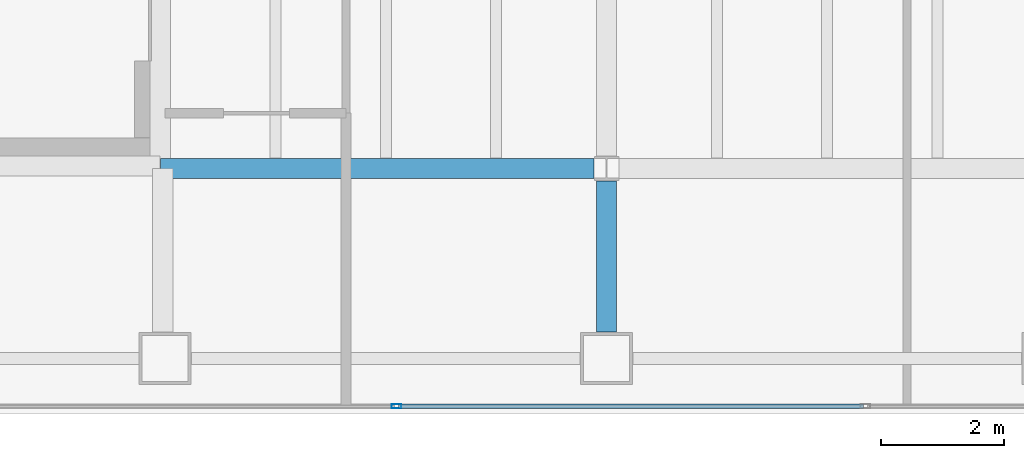
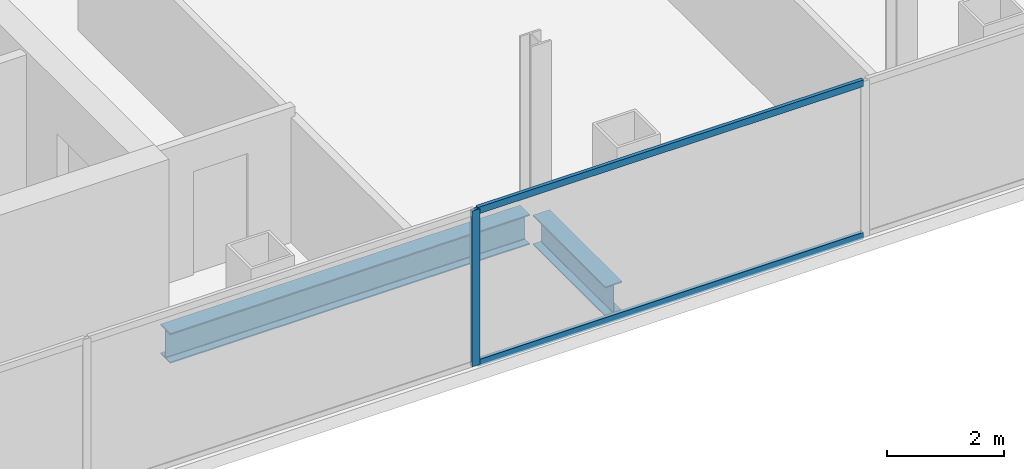
# One storey, part 4 of 23: 3 members, 2 beams, 1 element without a shape of its own.
"""IFC4 building model written with IfcOpenShell, lengths in metres."""

from ifc_helpers import new_model, si_unit, direction, frame, origin, origin_2d, place, context, subcontext, project, spatial, hollow_rectangle, i_section, extrude, material, material_profile, profile_set, type_object, element, aggregate, save


model = new_model("IFC4")

# Units and contexts
model_context = context("Model", 3, precision=1e-05, world=origin(), true_north=direction((0.0, 1.0)))
body_context = subcontext(model_context, "Body", "Model", "MODEL_VIEW")
ifc_project = project(units=[si_unit("LENGTHUNIT", "METRE"), si_unit("AREAUNIT", "SQUARE_METRE"), si_unit("VOLUMEUNIT", "CUBIC_METRE"), si_unit("PLANEANGLEUNIT", "RADIAN"), si_unit("MASSUNIT", "GRAM", prefix="KILO")], contexts=[model_context])

# Site, building, storey
site_placement = place(None, origin())
site = spatial("IfcSite", under=ifc_project, at=site_placement, CompositionType="ELEMENT")
building_placement = place(site_placement, origin())
building = spatial("IfcBuilding", under=site, at=building_placement, Name="Cobrela Telecom Tower", CompositionType="ELEMENT")
storey_placement = place(building_placement, frame((0.0, 0.0, 180.25)))
storey = spatial("IfcBuildingStorey", under=building, at=storey_placement, Name="L45", CompositionType="ELEMENT", Elevation=180.25)

# Beams
ifc_material_1 = material(Name="Steel ASTM A992 Grade 50", Category="steel")
ifc_material_profile_1 = material_profile(ifc_material_1, i_section(OverallWidth=0.327880859375, OverallDepth=0.6220703125, WebThickness=0.015380859375, FlangeThickness=0.0244140625, FilletRadius=0.014892578125, at=origin_2d()), Name="W24X131")
ifc_profile_set_1 = profile_set([ifc_material_profile_1], Name="Steel ASTM A992 Grade 50")
beam_type = type_object("IfcBeamType", Name="BM-GIRD-06", PredefinedType="USERDEFINED", material=ifc_profile_set_1)
beam_1_placement = place(storey_placement, frame((14.324951171875, 7.199951171875, -0.571044921875), z_axis=(1.0, 0.0, 0.0), x_axis=(0.0, 1.0, 0.0)))
element("IfcBeam", 1, at=beam_1_placement, inside=storey, type_object=beam_type, Name="L45 Primary Girder X07", ObjectType="GIRDER", PredefinedType="USERDEFINED", context=body_context, shape_type="SweptSolid", body=[
    extrude(i_section(OverallWidth=0.327880859375, OverallDepth=0.6220703125, WebThickness=0.015380859375, FlangeThickness=0.0244140625, FilletRadius=0.014892578125, at=origin_2d()), origin(), (0.0, 0.0, 1.0), 7.070556640625),
])
beam_2_placement = place(storey_placement, frame((21.60009765625, 4.530029296875, -0.571044921875), z_axis=(0.0, 1.0, 0.0), x_axis=(-1.0, 0.0, 0.0)))
element("IfcBeam", 2, at=beam_2_placement, inside=storey, type_object=beam_type, Name="L45 Primary Girder Y32", ObjectType="GIRDER", PredefinedType="USERDEFINED", context=body_context, shape_type="SweptSolid", body=[
    extrude(i_section(OverallWidth=0.327880859375, OverallDepth=0.6220703125, WebThickness=0.015380859375, FlangeThickness=0.0244140625, FilletRadius=0.014892578125, at=origin_2d()), origin(), (0.0, 0.0, 1.0), 2.465576171875),
])

# Curtain wall, members
ifc_material_2 = material(Name="Anodized Bronze Aluminium 6063-T6", Category="aluminium")
curtain_wall_type = type_object("IfcCurtainWallType", Name="CW-SYS-OFF-LO", PredefinedType="USERDEFINED", material=ifc_material_2)
curtain_wall_placement = place(storey_placement, origin())
curtain_wall = element("IfcCurtainWall", 3, at=curtain_wall_placement, inside=storey, type_object=curtain_wall_type, Name="L45 Unitised Bronze Curtain Wall 17", ObjectType="UNITISED CURTAIN WALL", PredefinedType="USERDEFINED")
ifc_material_profile_2 = material_profile(ifc_material_2, hollow_rectangle(XDim=0.070068359375, YDim=0.159912109375, WallThickness=0.00390625, at=origin_2d()), Name="ALU 70x160x4")
ifc_profile_set_2 = profile_set([ifc_material_profile_2], Name="Anodized Bronze Aluminium 6063-T6")
member_type_1 = type_object("IfcMemberType", Name="CW-SYS-OFF-LO-MUL", PredefinedType="MULLION", material=ifc_profile_set_2)
member_1_placement = place(storey_placement, frame((18.174072265625, 3.320068359375, 0.0), z_axis=(0.0, 0.0, 1.0), x_axis=(0.0, -1.0, 0.0)))
member_1 = element("IfcMember", 4, at=member_1_placement, type_object=member_type_1, Name="CW-OFF-LO mullion 4", PredefinedType="MULLION", context=body_context, shape_type="SweptSolid", body=[
    extrude(hollow_rectangle(XDim=0.070068359375, YDim=0.159912109375, WallThickness=0.00390625, at=origin_2d()), origin(), (0.0, 0.0, 1.0), 3.239990234375),
])
ifc_material_profile_3 = material_profile(ifc_material_2, hollow_rectangle(XDim=0.070068359375, YDim=0.139892578125, WallThickness=0.00390625, at=origin_2d()), Name="ALU 70x140x4")
ifc_profile_set_3 = profile_set([ifc_material_profile_3], Name="Anodized Bronze Aluminium 6063-T6")
member_type_2 = type_object("IfcMemberType", Name="CW-SYS-OFF-LO-TRN", PredefinedType="USERDEFINED", material=ifc_profile_set_3)
member_2_placement = place(storey_placement, frame((25.791015625, 3.320068359375, 0.034912109375), z_axis=(-1.0, 0.0, 0.0), x_axis=(0.0, -1.0, 0.0)))
member_2 = element("IfcMember", 5, at=member_2_placement, type_object=member_type_2, Name="CW-OFF-LO transom 3.1", ObjectType="TRANSOM", PredefinedType="USERDEFINED", context=body_context, shape_type="SweptSolid", body=[
    extrude(hollow_rectangle(XDim=0.070068359375, YDim=0.139892578125, WallThickness=0.00390625, at=origin_2d()), origin(), (0.0, 0.0, 1.0), 7.58203125),
])
member_3_placement = place(storey_placement, frame((25.791015625, 3.320068359375, 3.205078125), z_axis=(-1.0, 0.0, 0.0), x_axis=(0.0, -1.0, 0.0)))
member_3 = element("IfcMember", 6, at=member_3_placement, type_object=member_type_2, Name="CW-OFF-LO transom 3.2", ObjectType="TRANSOM", PredefinedType="USERDEFINED", context=body_context, shape_type="SweptSolid", body=[
    extrude(hollow_rectangle(XDim=0.070068359375, YDim=0.139892578125, WallThickness=0.00390625, at=origin_2d()), origin(), (0.0, 0.0, 1.0), 7.58203125),
])
aggregate(curtain_wall, [member_1, member_2, member_3])

save(model, "model.ifc")
